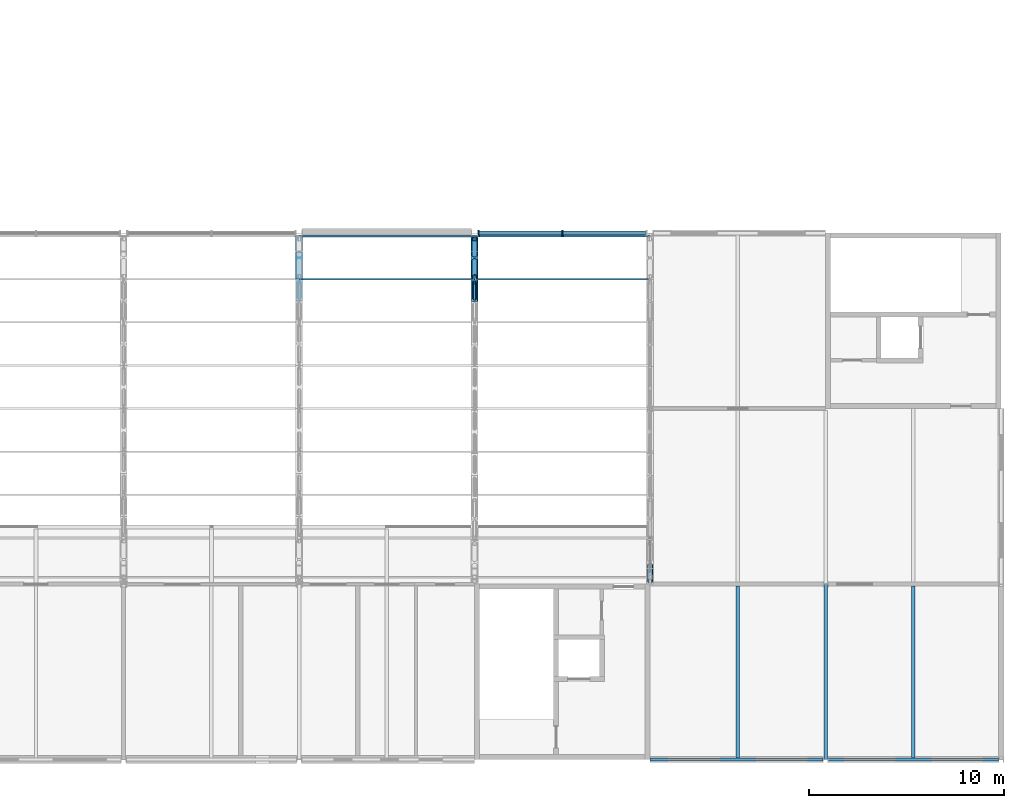
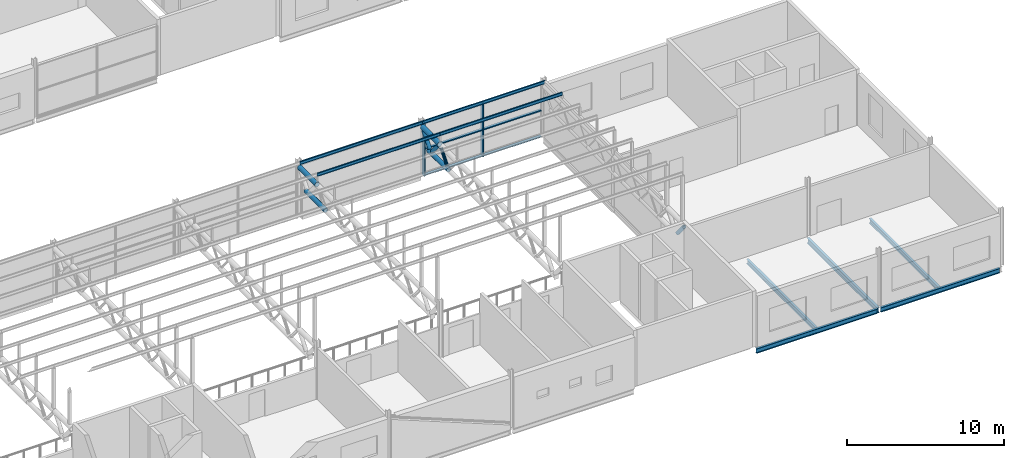
# One storey, part 79 of 138: 20 members, 5 beams, 1 element without a shape of its own.
"""IFC4 building model written with IfcOpenShell, lengths in metres."""

import ifcopenshell
import ifcopenshell.guid

model = None  # the IFC model being written
_history = None  # IfcOwnerHistory: only IFC2X3 demands one
_inside = {}  # id of a spatial element -> (the spatial element, [elements in it])
_under = {}  # id of a project, library or spatial element -> (it, [spatial elements below it])
_declared = {}  # id of a project -> (the project, [libraries it declares])
_typed = {}  # id of a type object -> (the type object, [elements of that type])
_made_of = {}  # id of a material, layer set ... -> (it, [elements and type objects made of it])


def new_model(schema):
    """Start an empty IFC model of exactly this schema.

    Asked for "IFC4X3", IfcOpenShell would pick the latest addendum, in which some entities
    have other attributes; the version numbers below select the first issue.
    IFC2X3 requires an IfcOwnerHistory on every rooted entity: one is made here for all.
    """
    global model, _history
    if schema == "IFC4X3":
        model = ifcopenshell.file(schema_version=(4, 3, 0, 0))
    else:
        model = ifcopenshell.file(schema=schema)
    _inside.clear()
    _under.clear()
    _declared.clear()
    _typed.clear()
    _made_of.clear()
    _history = None
    if model.schema == "IFC2X3":
        org = make("IfcOrganization", Name="unknown")
        user = make(
            "IfcPersonAndOrganization",
            ThePerson=make("IfcPerson", FamilyName="unknown"),
            TheOrganization=org,
        )
        app = make(
            "IfcApplication",
            ApplicationDeveloper=org,
            Version="unknown",
            ApplicationFullName="unknown",
            ApplicationIdentifier="unknown",
        )
        _history = make(
            "IfcOwnerHistory",
            OwningUser=user,
            OwningApplication=app,
            ChangeAction="ADDED",
            CreationDate=0,
        )
    return model


def make(cls, **values):
    """One entity of the class cls with the attributes given. An attribute that is None is left unset."""
    return model.create_entity(
        cls, **{name: value for name, value in values.items() if value is not None}
    )


def rooted(cls, **values):
    """An entity with a GlobalId (a new one), such as an element, a storey or a relation."""
    return make(cls, GlobalId=ifcopenshell.guid.new(), OwnerHistory=_history, **values)


def si_unit(unit_type, name, prefix=None):
    """IfcSIUnit, for example si_unit("LENGTHUNIT", "METRE", prefix="MILLI")."""
    return make("IfcSIUnit", UnitType=unit_type, Prefix=prefix, Name=name)


def assignment(units):
    """IfcUnitAssignment: the units of a project."""
    return None if units is None else make("IfcUnitAssignment", Units=units)


def point(xyz):
    """IfcCartesianPoint."""
    return None if xyz is None else make("IfcCartesianPoint", Coordinates=xyz)


def direction(xyz):
    """IfcDirection."""
    return None if xyz is None else make("IfcDirection", DirectionRatios=xyz)


def frame(location, z_axis=None, x_axis=None):
    """IfcAxis2Placement3D, a coordinate frame: its origin and axes. An axis left out is left unset."""
    return make(
        "IfcAxis2Placement3D",
        Location=point(location),
        Axis=direction(z_axis),
        RefDirection=direction(x_axis),
    )


def frame_2d(location, x_axis=None):
    """IfcAxis2Placement2D, a coordinate frame in the plane: its origin and x axis."""
    return make(
        "IfcAxis2Placement2D", Location=point(location), RefDirection=direction(x_axis)
    )


def origin():
    """The frame at (0, 0, 0) with its axes left unset."""
    return frame((0.0, 0.0, 0.0))


def origin_2d():
    """The frame at (0, 0) in the plane with its x axis left unset."""
    return frame_2d((0.0, 0.0))


def place(relative_to, where):
    """IfcLocalPlacement: puts the frame where relative to a parent placement (None: the world)."""
    return make(
        "IfcLocalPlacement", PlacementRelTo=relative_to, RelativePlacement=where
    )


def context(
    kind, dimensions, precision=None, world=None, true_north=None, identifier=None
):
    """IfcGeometricRepresentationContext, for example the 3D "Model" context."""
    return make(
        "IfcGeometricRepresentationContext",
        ContextIdentifier=identifier,
        ContextType=kind,
        CoordinateSpaceDimension=dimensions,
        Precision=precision,
        WorldCoordinateSystem=world,
        TrueNorth=true_north,
    )


def subcontext(parent, identifier, kind, view, scale=None):
    """IfcGeometricRepresentationSubContext, for example "Body" below "Model"."""
    return make(
        "IfcGeometricRepresentationSubContext",
        ContextIdentifier=identifier,
        ContextType=kind,
        ParentContext=parent,
        TargetScale=scale,
        TargetView=view,
    )


def project(units=None, contexts=None):
    """IfcProject with its units and contexts."""
    return rooted(
        "IfcProject",
        Name="project",
        RepresentationContexts=contexts,
        UnitsInContext=assignment(units),
    )


def spatial(cls, under=None, at=None, **own):
    """A site, building, storey or space (cls), placed at a placement, below another one or the project."""
    s = rooted(cls, ObjectPlacement=at, **own)
    if under is not None:
        _under.setdefault(under.id(), (under, []))[1].append(s)
    return s


def profile(cls, at=None, kind="AREA", **sizes):
    """A parametric profile (cls). Its sizes go by their IFC names, for example OverallWidth=200.0."""
    return make(cls, ProfileType=kind, Position=at, **sizes)


def rectangle(**sizes):
    """IfcRectangleProfileDef."""
    return profile("IfcRectangleProfileDef", **sizes)


def hollow_circle(**sizes):
    """IfcCircleHollowProfileDef."""
    return profile("IfcCircleHollowProfileDef", **sizes)


def i_section(**sizes):
    """IfcIShapeProfileDef."""
    return profile("IfcIShapeProfileDef", **sizes)


def extrude(swept, where, along, depth):
    """IfcExtrudedAreaSolid: the profile swept, set in the frame where, extruded along a direction by depth."""
    return make(
        "IfcExtrudedAreaSolid",
        SweptArea=swept,
        Position=where,
        ExtrudedDirection=direction(along),
        Depth=depth,
    )


def shape(context_of_items, identifier, shape_type, items):
    """IfcShapeRepresentation: the items that make up one representation, for example the "Body"."""
    return make(
        "IfcShapeRepresentation",
        ContextOfItems=context_of_items,
        RepresentationIdentifier=identifier,
        RepresentationType=shape_type,
        Items=items,
    )


def material(Name=None, Category=None):
    """IfcMaterial."""
    return make("IfcMaterial", Name=Name, Category=Category)


def layer(
    of_material, thickness, ventilated=None, Name=None, Category=None, Priority=None
):
    """IfcMaterialLayer: one layer of a wall or slab, of a material (None: an air gap)."""
    return make(
        "IfcMaterialLayer",
        Material=of_material,
        LayerThickness=thickness,
        IsVentilated=ventilated,
        Name=Name,
        Category=Category,
        Priority=Priority,
    )


def layer_set(layers, Name=None):
    """IfcMaterialLayerSet."""
    return make("IfcMaterialLayerSet", MaterialLayers=layers, LayerSetName=Name)


def material_profile(
    of_material, cross_section, Name=None, Category=None, Priority=None
):
    """IfcMaterialProfile: a cross section and its material."""
    return make(
        "IfcMaterialProfile",
        Name=Name,
        Material=of_material,
        Profile=cross_section,
        Priority=Priority,
        Category=Category,
    )


def profile_set(profiles, Name=None, composite=None):
    """IfcMaterialProfileSet."""
    return make(
        "IfcMaterialProfileSet",
        Name=Name,
        MaterialProfiles=profiles,
        CompositeProfile=composite,
    )


def made_of(thing, what):
    """Note that an element or type object is made of a material, layer set ...; save() writes the relation."""
    if what is not None:
        _made_of.setdefault(what.id(), (what, []))[1].append(thing)
    return thing


def type_object(cls, material=None, **own):
    """A type object (cls), such as IfcWallType, which elements share."""
    return made_of(rooted(cls, **own), material)


def element(
    cls,
    number,
    at=None,
    inside=None,
    cuts=None,
    type_object=None,
    material=None,
    context=None,
    identifier="Body",
    shape_type=None,
    held_by="IfcProductDefinitionShape",
    body=None,
    shapes=None,
    **own,
):
    """One element of the class cls, such as IfcWall. Its Tag is "e" and its number.

    at: its placement. inside: the storey or other place that contains it. cuts: it is an
    opening in that element (IfcRelVoidsElement). A single representation is given by context,
    identifier, shape_type and body (its items); several are given by shapes. held_by: the class
    of the entity that holds the representations. save() writes the other relations.
    """
    e = rooted(cls, Tag="e%d" % number, ObjectPlacement=at, **own)
    if body is not None:
        shapes = [shape(context, identifier, shape_type, body)]
    if shapes is not None:
        e.Representation = make(held_by, Representations=shapes)
    if inside is not None:
        _inside.setdefault(inside.id(), (inside, []))[1].append(e)
    if cuts is not None:
        rooted(
            "IfcRelVoidsElement", RelatingBuildingElement=cuts, RelatedOpeningElement=e
        )
    if type_object is not None:
        _typed.setdefault(type_object.id(), (type_object, []))[1].append(e)
    return made_of(e, material)


def aggregate(whole, parts):
    """IfcRelAggregates: a whole, such as a stair, and the parts it consists of."""
    return rooted("IfcRelAggregates", RelatingObject=whole, RelatedObjects=parts)


def save(model, path):
    """Write the relations noted so far, then the file.

    IfcRelAggregates (storeys below a building ...), IfcRelContainedInSpatialStructure (elements
    in a storey), IfcRelDefinesByType, IfcRelAssociatesMaterial and IfcRelDeclares: one each for
    every whole, place, type object, material and project.
    """
    for whole, parts in _under.values():
        aggregate(whole, parts)
    for where, things in _inside.values():
        rooted(
            "IfcRelContainedInSpatialStructure",
            RelatedElements=things,
            RelatingStructure=where,
        )
    for kind, things in _typed.values():
        rooted("IfcRelDefinesByType", RelatedObjects=things, RelatingType=kind)
    for what, things in _made_of.values():
        rooted("IfcRelAssociatesMaterial", RelatedObjects=things, RelatingMaterial=what)
    for by, libraries in _declared.values():
        rooted("IfcRelDeclares", RelatingContext=by, RelatedDefinitions=libraries)
    model.write(path)


model = new_model("IFC4")

# Units and contexts
model_context = context("Model", 3, precision=1e-05, world=origin(), true_north=direction((0.0, 1.0)))
body_context = subcontext(model_context, "Body", "Model", "MODEL_VIEW")
ifc_project = project(units=[si_unit("LENGTHUNIT", "METRE"), si_unit("AREAUNIT", "SQUARE_METRE"), si_unit("VOLUMEUNIT", "CUBIC_METRE"), si_unit("PLANEANGLEUNIT", "RADIAN"), si_unit("MASSUNIT", "GRAM", prefix="KILO")], contexts=[model_context])

# Site, building, storey
site_placement = place(None, origin())
site = spatial("IfcSite", under=ifc_project, at=site_placement, CompositionType="ELEMENT")
building_placement = place(site_placement, origin())
building = spatial("IfcBuilding", under=site, at=building_placement, Name="Corbel Yard City Hall", CompositionType="ELEMENT")
storey_placement = place(building_placement, frame((0.0, 0.0, 10.5)))
storey = spatial("IfcBuildingStorey", under=building, at=storey_placement, Name="L02", CompositionType="ELEMENT", Elevation=10.5)

# Beam
ifc_material_1 = material(Name="Steel Grade 300 (300 MPa yield)", Category="steel")
ifc_material_profile_1 = material_profile(ifc_material_1, i_section(OverallWidth=0.177978515625, OverallDepth=0.403076171875, WebThickness=0.007568359375, FlangeThickness=0.010986328125, at=origin_2d()), Name="410UB53.7")
ifc_profile_set_1 = profile_set([ifc_material_profile_1], Name="Steel Grade 300 (300 MPa yield)")
beam_type_1 = type_object("IfcBeamType", Name="Beam 410UB53.7", PredefinedType="BEAM", material=ifc_profile_set_1)
beam_1_placement = place(storey_placement, frame((171.0, 0.00537109375, -0.3515625), z_axis=(0.0, 1.0, 0.0), x_axis=(-1.0, 0.0, 0.0)))
element("IfcBeam", 1, at=beam_1_placement, inside=storey, type_object=beam_type_1, Name="Beam 410UB53.7 SB6 L02floor", PredefinedType="BEAM", context=body_context, shape_type="SweptSolid", body=[
    extrude(i_section(OverallWidth=0.177978515625, OverallDepth=0.403076171875, WebThickness=0.007568359375, FlangeThickness=0.010986328125, at=origin_2d()), origin(), (0.0, 0.0, 1.0), 8.98876953125),
])

# Members
ifc_material_profile_2 = material_profile(ifc_material_1, i_section(OverallWidth=0.090087890625, OverallDepth=0.25, WebThickness=0.008056640625, FlangeThickness=0.014892578125, at=origin_2d()), Name="250PFC")
ifc_profile_set_2 = profile_set([ifc_material_profile_2], Name="Steel Grade 300 (300 MPa yield)")
member_type_1 = type_object("IfcMemberType", Name="Eaves purlin 250PFC", PredefinedType="PURLIN", material=ifc_profile_set_2)
for number, where, z_axis, x_axis, name in (
    (2, (144.0, 26.847412109375, 4.24658203125), (1.0, 0.0, 0.0), (0.0, 1.0, 0.0), "Eaves purlin 250PFC PU2"),
    (3, (153.0, 26.847412109375, 4.24658203125), (1.0, 0.0, 0.0), (0.0, 1.0, 0.0), "Eaves purlin 250PFC PU2"),
):
    element("IfcMember", number, at=place(storey_placement, frame(where, z_axis=z_axis, x_axis=x_axis)), inside=storey, type_object=member_type_1, Name=name, PredefinedType="PURLIN", context=body_context, shape_type="SweptSolid", body=[
        extrude(i_section(OverallWidth=0.090087890625, OverallDepth=0.25, WebThickness=0.008056640625, FlangeThickness=0.014892578125, at=origin_2d()), origin(), (0.0, 0.0, 1.0), 9.0),
    ])

# Beams
ifc_material_profile_3 = material_profile(ifc_material_1, i_section(OverallWidth=0.172119140625, OverallDepth=0.35888671875, WebThickness=0.008056640625, FlangeThickness=0.012939453125, at=origin_2d()), Name="360UB56.7")
ifc_profile_set_3 = profile_set([ifc_material_profile_3], Name="Steel Grade 300 (300 MPa yield)")
beam_type_2 = type_object("IfcBeamType", Name="Edge beam 360UB56.7", PredefinedType="BEAM", material=ifc_profile_set_3)
beam_2_placement = place(storey_placement, frame((162.0, 0.0, -0.32958984375), z_axis=(1.0, 0.0, 0.0), x_axis=(0.0, 1.0, 0.0)))
element("IfcBeam", 4, at=beam_2_placement, inside=storey, type_object=beam_type_2, Name="Edge beam 360UB56.7 EB4 L02floor", PredefinedType="BEAM", context=body_context, shape_type="SweptSolid", body=[
    extrude(i_section(OverallWidth=0.172119140625, OverallDepth=0.35888671875, WebThickness=0.008056640625, FlangeThickness=0.012939453125, at=origin_2d()), origin(), (0.0, 0.0, 1.0), 8.8701171875),
])
beam_3_placement = place(storey_placement, frame((171.1298828125, 0.0, -0.32958984375), z_axis=(1.0, 0.0, 0.0), x_axis=(0.0, 1.0, 0.0)))
element("IfcBeam", 5, at=beam_3_placement, inside=storey, type_object=beam_type_2, Name="Edge beam 360UB56.7 EB4 L02floor", PredefinedType="BEAM", context=body_context, shape_type="SweptSolid", body=[
    extrude(i_section(OverallWidth=0.172119140625, OverallDepth=0.35888671875, WebThickness=0.008056640625, FlangeThickness=0.012939453125, at=origin_2d()), origin(), (0.0, 0.0, 1.0), 8.740234375),
])

# Members
ifc_material_2 = material(Name="Steel Grade C350L0", Category="steel")
ifc_material_profile_4 = material_profile(ifc_material_2, hollow_circle(Radius=0.161865234375, WallThickness=0.0126953125, at=origin_2d()), Name="323.9x12.7CHS")
ifc_profile_set_4 = profile_set([ifc_material_profile_4], Name="Steel Grade C350L0")
member_type_2 = type_object("IfcMemberType", Name="Hall roof truss bottom chord 323.9x12.7CHS", PredefinedType="CHORD", material=ifc_profile_set_4)
member_1_placement = place(storey_placement, frame((144.0, 23.52978515625, 2.59228515625), z_axis=(0.0, 1.0, 0.0), x_axis=(-1.0, 0.0, 0.0)))
element("IfcMember", 6, at=member_1_placement, inside=storey, type_object=member_type_2, Name="Hall roof truss bottom chord 323.9x12.7CHS TC2", PredefinedType="CHORD", context=body_context, shape_type="SweptSolid", body=[
    extrude(hollow_circle(Radius=0.161865234375, WallThickness=0.0126953125, at=origin_2d()), origin(), (0.0, 0.0, 1.0), 2.51171875),
])
member_2_placement = place(storey_placement, frame((153.0, 23.5009765625, 2.59228515625), z_axis=(0.0, 1.0, 0.0), x_axis=(-1.0, 0.0, 0.0)))
element("IfcMember", 7, at=member_2_placement, inside=storey, type_object=member_type_2, Name="Hall roof truss bottom chord 323.9x12.7CHS TC2", PredefinedType="CHORD", context=body_context, shape_type="SweptSolid", body=[
    extrude(hollow_circle(Radius=0.161865234375, WallThickness=0.0126953125, at=origin_2d()), origin(), (0.0, 0.0, 1.0), 2.531005859375),
])
ifc_material_profile_5 = material_profile(ifc_material_2, hollow_circle(Radius=0.109619140625, WallThickness=0.00830078125, at=origin_2d()), Name="219.1x8.2CHS")
ifc_profile_set_5 = profile_set([ifc_material_profile_5], Name="Steel Grade C350L0")
member_type_3 = type_object("IfcMemberType", Name="Hall roof truss diagonal 219.1x8.2CHS", PredefinedType="STRUT", material=ifc_profile_set_5)
member_3_placement = place(storey_placement, frame((153.0, 23.650146484375, 2.77001953125), z_axis=(0.0, 0.642692233301, 0.766124463292), x_axis=(-1.0, 0.0, 0.0)))
element("IfcMember", 8, at=member_3_placement, inside=storey, type_object=member_type_3, Name="Hall roof truss diagonal 219.1x8.2CHS TD2", PredefinedType="STRUT", context=body_context, shape_type="SweptSolid", body=[
    extrude(hollow_circle(Radius=0.109619140625, WallThickness=0.00830078125, at=origin_2d()), origin(), (0.0, 0.0, 1.0), 1.271728515625),
])
ifc_material_profile_6 = material_profile(ifc_material_2, hollow_circle(Radius=0.136474609375, WallThickness=0.00927734375, at=origin_2d()), Name="273.1x9.3CHS")
ifc_profile_set_6 = profile_set([ifc_material_profile_6], Name="Steel Grade C350L0")
member_type_4 = type_object("IfcMemberType", Name="Hall roof truss diagonal 273.1x9.3CHS", PredefinedType="STRUT", material=ifc_profile_set_6)
for number, where, z_axis, x_axis, name in (
    (9, (153.0, 24.765625, 3.744384765625), (0.0, 0.642692233301, -0.766124463292), (-1.0, 0.0, 0.0), "Hall roof truss diagonal 273.1x9.3CHS TD1"),
    (10, (153.0, 25.881103515625, 2.77001953125), (0.0, 0.642692233301, 0.766124463292), (-1.0, 0.0, 0.0), "Hall roof truss diagonal 273.1x9.3CHS TD1"),
    (11, (162.0, 9.149169921875, 3.744384765625), (0.0, 0.64257954038, -0.766218985855), (-1.0, 0.0, 0.0), "Hall roof truss diagonal 273.1x9.3CHS TD1"),
):
    element("IfcMember", number, at=place(storey_placement, frame(where, z_axis=z_axis, x_axis=x_axis)), inside=storey, type_object=member_type_4, Name=name, PredefinedType="STRUT", context=body_context, shape_type="SweptSolid", body=[
        extrude(hollow_circle(Radius=0.136474609375, WallThickness=0.00927734375, at=origin_2d()), origin(), (0.0, 0.0, 1.0), 1.271728515625),
    ])
ifc_material_profile_7 = material_profile(ifc_material_2, hollow_circle(Radius=0.177734375, WallThickness=0.0126953125, at=origin_2d()), Name="355.6x12.7CHS")
ifc_profile_set_7 = profile_set([ifc_material_profile_7], Name="Steel Grade C350L0")
member_type_5 = type_object("IfcMemberType", Name="Hall roof truss top chord 355.6x12.7CHS", PredefinedType="CHORD", material=ifc_profile_set_7)
member_4_placement = place(storey_placement, frame((144.0, 24.6357421875, 3.922119140625), z_axis=(0.0, 1.0, 0.0), x_axis=(-1.0, 0.0, 0.0)))
element("IfcMember", 12, at=member_4_placement, inside=storey, type_object=member_type_5, Name="Hall roof truss top chord 355.6x12.7CHS TC1", PredefinedType="CHORD", context=body_context, shape_type="SweptSolid", body=[
    extrude(hollow_circle(Radius=0.177734375, WallThickness=0.0126953125, at=origin_2d()), origin(), (0.0, 0.0, 1.0), 2.211669921875),
])
member_5_placement = place(storey_placement, frame((153.0, 24.616455078125, 3.922119140625), z_axis=(0.0, 1.0, 0.0), x_axis=(-1.0, 0.0, 0.0)))
element("IfcMember", 13, at=member_5_placement, inside=storey, type_object=member_type_5, Name="Hall roof truss top chord 355.6x12.7CHS TC1", PredefinedType="CHORD", context=body_context, shape_type="SweptSolid", body=[
    extrude(hollow_circle(Radius=0.177734375, WallThickness=0.0126953125, at=origin_2d()), origin(), (0.0, 0.0, 1.0), 2.23095703125),
])

# Curtain wall, members
ifc_material_3 = material(Name="Aluminium extrusion", Category="aluminium")
ifc_layer = layer(ifc_material_3, 0.300048828125)
ifc_layer_set = layer_set([ifc_layer], Name="Aluminium extrusion")
curtain_wall_type = type_object("IfcCurtainWallType", Name="CW7", PredefinedType="USERDEFINED", material=ifc_layer_set)
curtain_wall_placement = place(storey_placement, origin())
curtain_wall = element("IfcCurtainWall", 14, at=curtain_wall_placement, inside=storey, type_object=curtain_wall_type, Name="Curtain wall CW7 L02", ObjectType="CURTAIN WALL", PredefinedType="USERDEFINED")
ifc_material_profile_8 = material_profile(ifc_material_3, rectangle(XDim=0.300048828125, YDim=0.080078125, at=origin_2d()), Name="300x80")
ifc_profile_set_8 = profile_set([ifc_material_profile_8], Name="Aluminium extrusion")
member_type_6 = type_object("IfcMemberType", Name="ML7", PredefinedType="MULLION", material=ifc_profile_set_8)
member_6_placement = place(storey_placement, frame((153.194091796875, 27.0, 0.0), z_axis=(0.0, 0.0, 1.0), x_axis=(0.0, 1.0, 0.0)))
member_6 = element("IfcMember", 15, at=member_6_placement, type_object=member_type_6, Name="CW7 mullion 1", PredefinedType="MULLION", context=body_context, shape_type="SweptSolid", body=[
    extrude(rectangle(XDim=0.300048828125, YDim=0.080078125, at=origin_2d()), origin(), (0.0, 0.0, 1.0), 4.12158203125),
])
member_7_placement = place(storey_placement, frame((157.5, 27.0, 0.0), z_axis=(0.0, 0.0, 1.0), x_axis=(0.0, 1.0, 0.0)))
member_7 = element("IfcMember", 16, at=member_7_placement, type_object=member_type_6, Name="CW7 mullion 2", PredefinedType="MULLION", context=body_context, shape_type="SweptSolid", body=[
    extrude(rectangle(XDim=0.300048828125, YDim=0.080078125, at=origin_2d()), origin(), (0.0, 0.0, 1.0), 4.12158203125),
])

# Members
ifc_material_profile_9 = material_profile(ifc_material_1, i_section(OverallWidth=0.090087890625, OverallDepth=0.25, WebThickness=0.008056640625, FlangeThickness=0.014892578125, at=origin_2d()), Name="250PFC")
ifc_profile_set_9 = profile_set([ifc_material_profile_9], Name="Steel Grade 300 (300 MPa yield)")
member_type_7 = type_object("IfcMemberType", Name="Purlin 250PFC", PredefinedType="PURLIN", material=ifc_profile_set_9)
for number, where, z_axis, x_axis, name in (
    (17, (144.0, 24.6357421875, 4.68896484375), (1.0, 0.0, 0.0), (0.0, 1.0, 0.0), "Purlin 250PFC PU1"),
    (18, (153.0, 24.6357421875, 4.68896484375), (1.0, 0.0, 0.0), (0.0, 1.0, 0.0), "Purlin 250PFC PU1"),
):
    element("IfcMember", number, at=place(storey_placement, frame(where, z_axis=z_axis, x_axis=x_axis)), inside=storey, type_object=member_type_7, Name=name, PredefinedType="PURLIN", context=body_context, shape_type="SweptSolid", body=[
        extrude(i_section(OverallWidth=0.090087890625, OverallDepth=0.25, WebThickness=0.008056640625, FlangeThickness=0.014892578125, at=origin_2d()), origin(), (0.0, 0.0, 1.0), 9.0),
    ])

# Beams
ifc_material_profile_10 = material_profile(ifc_material_1, i_section(OverallWidth=0.1708984375, OverallDepth=0.35595703125, WebThickness=0.00732421875, FlangeThickness=0.011474609375, at=origin_2d()), Name="360UB50.7")
ifc_profile_set_10 = profile_set([ifc_material_profile_10], Name="Steel Grade 300 (300 MPa yield)")
beam_type_3 = type_object("IfcBeamType", Name="Secondary beam 360UB50.7", PredefinedType="JOIST", material=ifc_profile_set_10)
for number, where, z_axis, x_axis, name in (
    (19, (166.5, 0.0859375, -0.327880859375), (0.0, 1.0, 0.0), (-1.0, 0.0, 0.0), "Secondary beam 360UB50.7 SB10 L02floor"),
    (20, (175.5, 0.0859375, -0.327880859375), (0.0, 1.0, 0.0), (-1.0, 0.0, 0.0), "Secondary beam 360UB50.7 SB10 L02floor"),
):
    element("IfcBeam", number, at=place(storey_placement, frame(where, z_axis=z_axis, x_axis=x_axis)), inside=storey, type_object=beam_type_3, Name=name, PredefinedType="JOIST", context=body_context, shape_type="SweptSolid", body=[
        extrude(i_section(OverallWidth=0.1708984375, OverallDepth=0.35595703125, WebThickness=0.00732421875, FlangeThickness=0.011474609375, at=origin_2d()), origin(), (0.0, 0.0, 1.0), 8.8095703125),
    ])

# Member
ifc_material_profile_11 = material_profile(ifc_material_3, rectangle(XDim=0.199951171875, YDim=0.080078125, at=origin_2d()), Name="200x80")
ifc_profile_set_11 = profile_set([ifc_material_profile_11], Name="Aluminium extrusion")
member_type_8 = type_object("IfcMemberType", Name="TR7", PredefinedType="USERDEFINED", material=ifc_profile_set_11)
member_8_placement = place(storey_placement, frame((153.23388671875, 27.0, 0.0400390625), z_axis=(1.0, 0.0, 0.0), x_axis=(0.0, 1.0, 0.0)))
member_8 = element("IfcMember", 21, at=member_8_placement, type_object=member_type_8, Name="CW7 transom 1.1", ObjectType="TRANSOM", PredefinedType="USERDEFINED", context=body_context, shape_type="SweptSolid", body=[
    extrude(rectangle(XDim=0.199951171875, YDim=0.080078125, at=origin_2d()), origin(), (0.0, 0.0, 1.0), 4.22607421875),
])

member_9_placement = place(storey_placement, frame((153.23388671875, 27.0, 2.060791015625), z_axis=(1.0, 0.0, 0.0), x_axis=(0.0, 1.0, 0.0)))
member_9 = element("IfcMember", 22, at=member_9_placement, type_object=member_type_8, Name="CW7 transom 1.2", ObjectType="TRANSOM", PredefinedType="USERDEFINED", context=body_context, shape_type="SweptSolid", body=[
    extrude(rectangle(XDim=0.199951171875, YDim=0.080078125, at=origin_2d()), origin(), (0.0, 0.0, 1.0), 4.22607421875),
])

member_10_placement = place(storey_placement, frame((153.23388671875, 27.0, 4.08154296875), z_axis=(1.0, 0.0, 0.0), x_axis=(0.0, 1.0, 0.0)))
member_10 = element("IfcMember", 23, at=member_10_placement, type_object=member_type_8, Name="CW7 transom 1.3", ObjectType="TRANSOM", PredefinedType="USERDEFINED", context=body_context, shape_type="SweptSolid", body=[
    extrude(rectangle(XDim=0.199951171875, YDim=0.080078125, at=origin_2d()), origin(), (0.0, 0.0, 1.0), 4.22607421875),
])

member_11_placement = place(storey_placement, frame((157.5400390625, 27.0, 0.0400390625), z_axis=(1.0, 0.0, 0.0), x_axis=(0.0, 1.0, 0.0)))
member_11 = element("IfcMember", 24, at=member_11_placement, type_object=member_type_8, Name="CW7 transom 2.1", ObjectType="TRANSOM", PredefinedType="USERDEFINED", context=body_context, shape_type="SweptSolid", body=[
    extrude(rectangle(XDim=0.199951171875, YDim=0.080078125, at=origin_2d()), origin(), (0.0, 0.0, 1.0), 4.22607421875),
])

member_12_placement = place(storey_placement, frame((157.5400390625, 27.0, 2.060791015625), z_axis=(1.0, 0.0, 0.0), x_axis=(0.0, 1.0, 0.0)))
member_12 = element("IfcMember", 25, at=member_12_placement, type_object=member_type_8, Name="CW7 transom 2.2", ObjectType="TRANSOM", PredefinedType="USERDEFINED", context=body_context, shape_type="SweptSolid", body=[
    extrude(rectangle(XDim=0.199951171875, YDim=0.080078125, at=origin_2d()), origin(), (0.0, 0.0, 1.0), 4.22607421875),
])

member_13_placement = place(storey_placement, frame((157.5400390625, 27.0, 4.08154296875), z_axis=(1.0, 0.0, 0.0), x_axis=(0.0, 1.0, 0.0)))
member_13 = element("IfcMember", 26, at=member_13_placement, type_object=member_type_8, Name="CW7 transom 2.3", ObjectType="TRANSOM", PredefinedType="USERDEFINED", context=body_context, shape_type="SweptSolid", body=[
    extrude(rectangle(XDim=0.199951171875, YDim=0.080078125, at=origin_2d()), origin(), (0.0, 0.0, 1.0), 4.22607421875),
])

aggregate(curtain_wall, [member_6, member_7, member_8, member_9, member_10, member_11, member_12, member_13])

save(model, "model.ifc")
